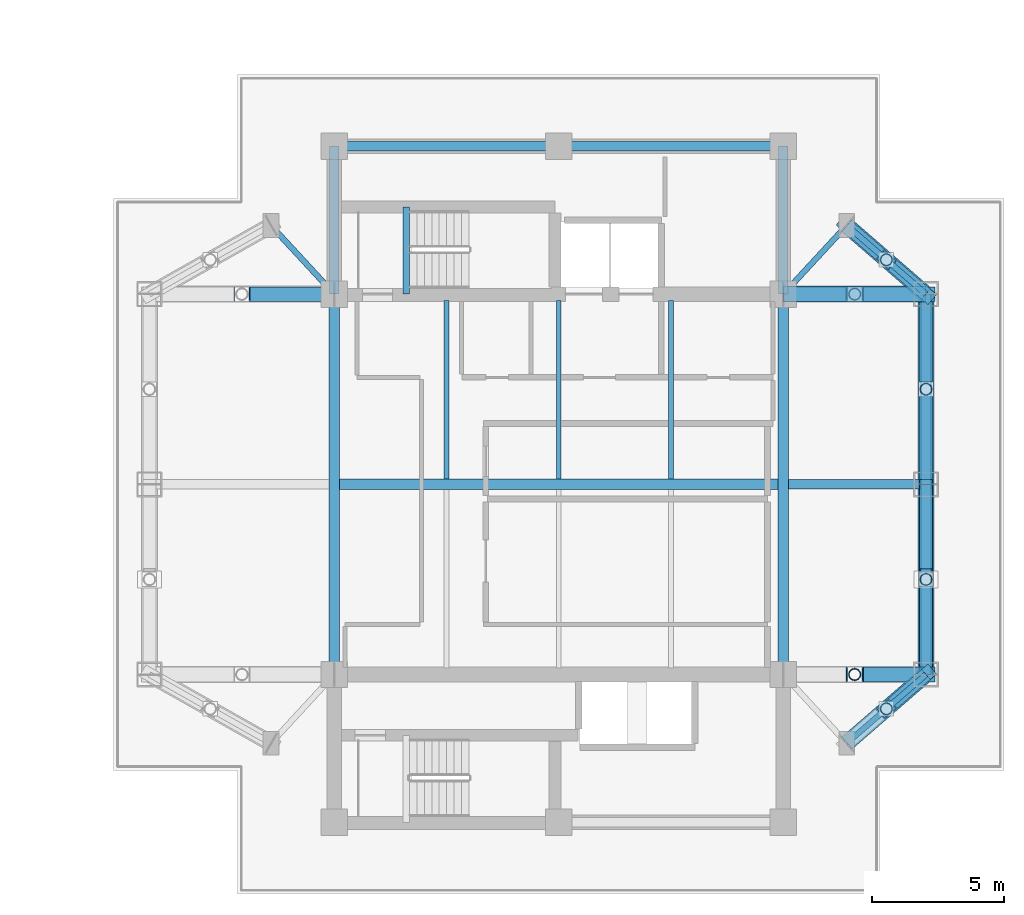
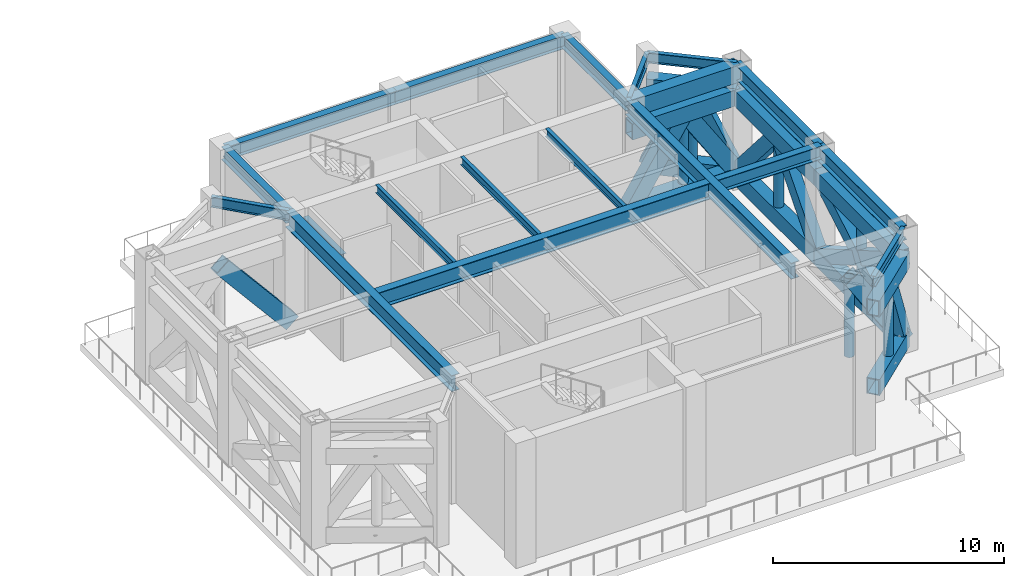
# One storey, part 5 of 18: 28 members, 19 beams.
"""IFC4 building model written with IfcOpenShell, lengths in metres."""

import ifcopenshell
import ifcopenshell.guid

model = None  # the IFC model being written
_history = None  # IfcOwnerHistory: only IFC2X3 demands one
_inside = {}  # id of a spatial element -> (the spatial element, [elements in it])
_under = {}  # id of a project, library or spatial element -> (it, [spatial elements below it])
_declared = {}  # id of a project -> (the project, [libraries it declares])
_typed = {}  # id of a type object -> (the type object, [elements of that type])
_made_of = {}  # id of a material, layer set ... -> (it, [elements and type objects made of it])


def new_model(schema):
    """Start an empty IFC model of exactly this schema.

    Asked for "IFC4X3", IfcOpenShell would pick the latest addendum, in which some entities
    have other attributes; the version numbers below select the first issue.
    IFC2X3 requires an IfcOwnerHistory on every rooted entity: one is made here for all.
    """
    global model, _history
    if schema == "IFC4X3":
        model = ifcopenshell.file(schema_version=(4, 3, 0, 0))
    else:
        model = ifcopenshell.file(schema=schema)
    _inside.clear()
    _under.clear()
    _declared.clear()
    _typed.clear()
    _made_of.clear()
    _history = None
    if model.schema == "IFC2X3":
        org = make("IfcOrganization", Name="unknown")
        user = make(
            "IfcPersonAndOrganization",
            ThePerson=make("IfcPerson", FamilyName="unknown"),
            TheOrganization=org,
        )
        app = make(
            "IfcApplication",
            ApplicationDeveloper=org,
            Version="unknown",
            ApplicationFullName="unknown",
            ApplicationIdentifier="unknown",
        )
        _history = make(
            "IfcOwnerHistory",
            OwningUser=user,
            OwningApplication=app,
            ChangeAction="ADDED",
            CreationDate=0,
        )
    return model


def make(cls, **values):
    """One entity of the class cls with the attributes given. An attribute that is None is left unset."""
    return model.create_entity(
        cls, **{name: value for name, value in values.items() if value is not None}
    )


def rooted(cls, **values):
    """An entity with a GlobalId (a new one), such as an element, a storey or a relation."""
    return make(cls, GlobalId=ifcopenshell.guid.new(), OwnerHistory=_history, **values)


def si_unit(unit_type, name, prefix=None):
    """IfcSIUnit, for example si_unit("LENGTHUNIT", "METRE", prefix="MILLI")."""
    return make("IfcSIUnit", UnitType=unit_type, Prefix=prefix, Name=name)


def assignment(units):
    """IfcUnitAssignment: the units of a project."""
    return None if units is None else make("IfcUnitAssignment", Units=units)


def point(xyz):
    """IfcCartesianPoint."""
    return None if xyz is None else make("IfcCartesianPoint", Coordinates=xyz)


def direction(xyz):
    """IfcDirection."""
    return None if xyz is None else make("IfcDirection", DirectionRatios=xyz)


def frame(location, z_axis=None, x_axis=None):
    """IfcAxis2Placement3D, a coordinate frame: its origin and axes. An axis left out is left unset."""
    return make(
        "IfcAxis2Placement3D",
        Location=point(location),
        Axis=direction(z_axis),
        RefDirection=direction(x_axis),
    )


def frame_2d(location, x_axis=None):
    """IfcAxis2Placement2D, a coordinate frame in the plane: its origin and x axis."""
    return make(
        "IfcAxis2Placement2D", Location=point(location), RefDirection=direction(x_axis)
    )


def origin():
    """The frame at (0, 0, 0) with its axes left unset."""
    return frame((0.0, 0.0, 0.0))


def origin_2d():
    """The frame at (0, 0) in the plane with its x axis left unset."""
    return frame_2d((0.0, 0.0))


def place(relative_to, where):
    """IfcLocalPlacement: puts the frame where relative to a parent placement (None: the world)."""
    return make(
        "IfcLocalPlacement", PlacementRelTo=relative_to, RelativePlacement=where
    )


def context(
    kind, dimensions, precision=None, world=None, true_north=None, identifier=None
):
    """IfcGeometricRepresentationContext, for example the 3D "Model" context."""
    return make(
        "IfcGeometricRepresentationContext",
        ContextIdentifier=identifier,
        ContextType=kind,
        CoordinateSpaceDimension=dimensions,
        Precision=precision,
        WorldCoordinateSystem=world,
        TrueNorth=true_north,
    )


def subcontext(parent, identifier, kind, view, scale=None):
    """IfcGeometricRepresentationSubContext, for example "Body" below "Model"."""
    return make(
        "IfcGeometricRepresentationSubContext",
        ContextIdentifier=identifier,
        ContextType=kind,
        ParentContext=parent,
        TargetScale=scale,
        TargetView=view,
    )


def project(units=None, contexts=None):
    """IfcProject with its units and contexts."""
    return rooted(
        "IfcProject",
        Name="project",
        RepresentationContexts=contexts,
        UnitsInContext=assignment(units),
    )


def spatial(cls, under=None, at=None, **own):
    """A site, building, storey or space (cls), placed at a placement, below another one or the project."""
    s = rooted(cls, ObjectPlacement=at, **own)
    if under is not None:
        _under.setdefault(under.id(), (under, []))[1].append(s)
    return s


def profile(cls, at=None, kind="AREA", **sizes):
    """A parametric profile (cls). Its sizes go by their IFC names, for example OverallWidth=200.0."""
    return make(cls, ProfileType=kind, Position=at, **sizes)


def rectangle(**sizes):
    """IfcRectangleProfileDef."""
    return profile("IfcRectangleProfileDef", **sizes)


def hollow_rectangle(**sizes):
    """IfcRectangleHollowProfileDef."""
    return profile("IfcRectangleHollowProfileDef", **sizes)


def hollow_circle(**sizes):
    """IfcCircleHollowProfileDef."""
    return profile("IfcCircleHollowProfileDef", **sizes)


def i_section(**sizes):
    """IfcIShapeProfileDef."""
    return profile("IfcIShapeProfileDef", **sizes)


def extrude(swept, where, along, depth):
    """IfcExtrudedAreaSolid: the profile swept, set in the frame where, extruded along a direction by depth."""
    return make(
        "IfcExtrudedAreaSolid",
        SweptArea=swept,
        Position=where,
        ExtrudedDirection=direction(along),
        Depth=depth,
    )


def shape(context_of_items, identifier, shape_type, items):
    """IfcShapeRepresentation: the items that make up one representation, for example the "Body"."""
    return make(
        "IfcShapeRepresentation",
        ContextOfItems=context_of_items,
        RepresentationIdentifier=identifier,
        RepresentationType=shape_type,
        Items=items,
    )


def material(Name=None, Category=None):
    """IfcMaterial."""
    return make("IfcMaterial", Name=Name, Category=Category)


def material_profile(
    of_material, cross_section, Name=None, Category=None, Priority=None
):
    """IfcMaterialProfile: a cross section and its material."""
    return make(
        "IfcMaterialProfile",
        Name=Name,
        Material=of_material,
        Profile=cross_section,
        Priority=Priority,
        Category=Category,
    )


def profile_set(profiles, Name=None, composite=None):
    """IfcMaterialProfileSet."""
    return make(
        "IfcMaterialProfileSet",
        Name=Name,
        MaterialProfiles=profiles,
        CompositeProfile=composite,
    )


def made_of(thing, what):
    """Note that an element or type object is made of a material, layer set ...; save() writes the relation."""
    if what is not None:
        _made_of.setdefault(what.id(), (what, []))[1].append(thing)
    return thing


def type_object(cls, material=None, **own):
    """A type object (cls), such as IfcWallType, which elements share."""
    return made_of(rooted(cls, **own), material)


def element(
    cls,
    number,
    at=None,
    inside=None,
    cuts=None,
    type_object=None,
    material=None,
    context=None,
    identifier="Body",
    shape_type=None,
    held_by="IfcProductDefinitionShape",
    body=None,
    shapes=None,
    **own,
):
    """One element of the class cls, such as IfcWall. Its Tag is "e" and its number.

    at: its placement. inside: the storey or other place that contains it. cuts: it is an
    opening in that element (IfcRelVoidsElement). A single representation is given by context,
    identifier, shape_type and body (its items); several are given by shapes. held_by: the class
    of the entity that holds the representations. save() writes the other relations.
    """
    e = rooted(cls, Tag="e%d" % number, ObjectPlacement=at, **own)
    if body is not None:
        shapes = [shape(context, identifier, shape_type, body)]
    if shapes is not None:
        e.Representation = make(held_by, Representations=shapes)
    if inside is not None:
        _inside.setdefault(inside.id(), (inside, []))[1].append(e)
    if cuts is not None:
        rooted(
            "IfcRelVoidsElement", RelatingBuildingElement=cuts, RelatedOpeningElement=e
        )
    if type_object is not None:
        _typed.setdefault(type_object.id(), (type_object, []))[1].append(e)
    return made_of(e, material)


def aggregate(whole, parts):
    """IfcRelAggregates: a whole, such as a stair, and the parts it consists of."""
    return rooted("IfcRelAggregates", RelatingObject=whole, RelatedObjects=parts)


def save(model, path):
    """Write the relations noted so far, then the file.

    IfcRelAggregates (storeys below a building ...), IfcRelContainedInSpatialStructure (elements
    in a storey), IfcRelDefinesByType, IfcRelAssociatesMaterial and IfcRelDeclares: one each for
    every whole, place, type object, material and project.
    """
    for whole, parts in _under.values():
        aggregate(whole, parts)
    for where, things in _inside.values():
        rooted(
            "IfcRelContainedInSpatialStructure",
            RelatedElements=things,
            RelatingStructure=where,
        )
    for kind, things in _typed.values():
        rooted("IfcRelDefinesByType", RelatedObjects=things, RelatingType=kind)
    for what, things in _made_of.values():
        rooted("IfcRelAssociatesMaterial", RelatedObjects=things, RelatingMaterial=what)
    for by, libraries in _declared.values():
        rooted("IfcRelDeclares", RelatingContext=by, RelatedDefinitions=libraries)
    model.write(path)


model = new_model("IFC4")

# Units and contexts
model_context = context("Model", 3, precision=1e-05, world=origin(), true_north=direction((0.0, 1.0)))
body_context = subcontext(model_context, "Body", "Model", "MODEL_VIEW")
ifc_project = project(units=[si_unit("LENGTHUNIT", "METRE"), si_unit("AREAUNIT", "SQUARE_METRE"), si_unit("VOLUMEUNIT", "CUBIC_METRE"), si_unit("PLANEANGLEUNIT", "RADIAN"), si_unit("MASSUNIT", "GRAM", prefix="KILO")], contexts=[model_context])

# Site, building, storey
site_placement = place(None, origin())
site = spatial("IfcSite", under=ifc_project, at=site_placement, CompositionType="ELEMENT")
building_placement = place(site_placement, origin())
building = spatial("IfcBuilding", under=site, at=building_placement, Name="Mirazonda Arch Towers", CompositionType="ELEMENT")
storey_placement = place(building_placement, frame((0.0, 0.0, 147.800048828125)))
storey = spatial("IfcBuildingStorey", under=building, at=storey_placement, Name="L42", CompositionType="ELEMENT", Elevation=147.800048828125)

# Beams
ifc_material_1 = material(Name="Steel ASTM A992 Grade 50", Category="steel")
ifc_material_profile_1 = material_profile(ifc_material_1, i_section(OverallWidth=0.381103515625, OverallDepth=0.77294921875, WebThickness=0.0166015625, FlangeThickness=0.027099609375, at=origin_2d()), Name="W30X173")
ifc_profile_set_1 = profile_set([ifc_material_profile_1], Name="Steel ASTM A992 Grade 50")
beam_type_1 = type_object("IfcBeamType", Name="BM-EXT-W30X173", PredefinedType="USERDEFINED", material=ifc_profile_set_1)
for number, where, z_axis, x_axis, name in (
    (1, (90.39990234375, 20.800048828125, 6.013427734375), (0.0, 1.0, 0.0), (-1.0, 0.0, 0.0), "L42 Floor Beam BM-T2-L42-NS-E-20"),
    (2, (90.39990234375, 28.0, 6.013427734375), (0.0, 1.0, 0.0), (-1.0, 0.0, 0.0), "L42 Floor Beam BM-T2-L42-NS-E-28"),
):
    element("IfcBeam", number, at=place(storey_placement, frame(where, z_axis=z_axis, x_axis=x_axis)), inside=storey, type_object=beam_type_1, Name=name, ObjectType="GIRDER", PredefinedType="USERDEFINED", context=body_context, shape_type="SweptSolid", body=[
        extrude(i_section(OverallWidth=0.381103515625, OverallDepth=0.77294921875, WebThickness=0.0166015625, FlangeThickness=0.027099609375, at=origin_2d()), origin(), (0.0, 0.0, 1.0), 7.199951171875),
    ])
ifc_material_profile_2 = material_profile(ifc_material_1, i_section(OverallWidth=0.257080078125, OverallDepth=0.330078125, WebThickness=0.011962890625, FlangeThickness=0.01953125, at=origin_2d()), Name="W10X68")
ifc_profile_set_2 = profile_set([ifc_material_profile_2], Name="Steel ASTM A992 Grade 50")
beam_type_2 = type_object("IfcBeamType", Name="BM-INT-W10X68", PredefinedType="BEAM", material=ifc_profile_set_2)
beam_1_placement = place(storey_placement, frame((70.719970703125, 35.199951171875, 2.93505859375), z_axis=(0.0, 1.0, 0.0), x_axis=(-1.0, 0.0, 0.0)))
element("IfcBeam", 3, at=beam_1_placement, inside=storey, type_object=beam_type_2, Name="L42 ST-T2N Landing Trimmer Beam", PredefinedType="BEAM", context=body_context, shape_type="SweptSolid", body=[
    extrude(i_section(OverallWidth=0.257080078125, OverallDepth=0.330078125, WebThickness=0.011962890625, FlangeThickness=0.01953125, at=origin_2d()), origin(), (0.0, 0.0, 1.0), 3.300048828125),
])
ifc_material_profile_3 = material_profile(ifc_material_1, i_section(OverallWidth=0.180908203125, OverallDepth=0.4169921875, WebThickness=0.010986328125, FlangeThickness=0.018310546875, at=origin_2d()), Name="W16X57")
ifc_profile_set_3 = profile_set([ifc_material_profile_3], Name="Steel ASTM A992 Grade 50")
beam_type_3 = type_object("IfcBeamType", Name="BM-INT-W16X57", PredefinedType="JOIST", material=ifc_profile_set_3)
for number, where, z_axis, x_axis, name in (
    (4, (72.25, 28.196044921875, 6.19140625), (0.0, 1.0, 0.0), (-1.0, 0.0, 0.0), "L42 Floor Beam BM-T2-L42-J-722-28"),
    (5, (76.5, 28.196044921875, 6.19140625), (0.0, 1.0, 0.0), (-1.0, 0.0, 0.0), "L42 Floor Beam BM-T2-L42-J-765-28"),
    (6, (80.75, 28.196044921875, 6.19140625), (0.0, 1.0, 0.0), (-1.0, 0.0, 0.0), "L42 Floor Beam BM-T2-L42-J-807-28"),
):
    element("IfcBeam", number, at=place(storey_placement, frame(where, z_axis=z_axis, x_axis=x_axis)), inside=storey, type_object=beam_type_3, Name=name, PredefinedType="JOIST", context=body_context, shape_type="SweptSolid", body=[
        extrude(i_section(OverallWidth=0.180908203125, OverallDepth=0.4169921875, WebThickness=0.010986328125, FlangeThickness=0.018310546875, at=origin_2d()), origin(), (0.0, 0.0, 1.0), 6.763916015625),
    ])
ifc_material_profile_4 = material_profile(ifc_material_1, i_section(OverallWidth=0.214111328125, OverallDepth=0.549072265625, WebThickness=0.0146484375, FlangeThickness=0.023681640625, at=origin_2d()), Name="W21X93")
ifc_profile_set_4 = profile_set([ifc_material_profile_4], Name="Steel ASTM A992 Grade 50")
beam_type_4 = type_object("IfcBeamType", Name="BM-INT-W21X93", PredefinedType="BEAM", material=ifc_profile_set_4)
beam_2_placement = place(storey_placement, frame((87.39990234375, 18.199951171875, 6.12548828125), z_axis=(0.755676908098, 0.654944585876, 0.0), x_axis=(-0.654944585876, 0.755676908098, 0.0)))
element("IfcBeam", 7, at=beam_2_placement, inside=storey, type_object=beam_type_4, Name="L42 Floor Beam BM-T2-L42-PL-SE2", PredefinedType="BEAM", context=body_context, shape_type="SweptSolid", body=[
    extrude(i_section(OverallWidth=0.214111328125, OverallDepth=0.549072265625, WebThickness=0.0146484375, FlangeThickness=0.023681640625, at=origin_2d()), origin(), (0.0, 0.0, 1.0), 3.969970703125),
])
for number, where, z_axis, x_axis, name in (
    (8, (65.60009765625, 37.800048828125, 6.12548828125), (0.678251444854, -0.734829897019, 0.0), (0.734829897019, 0.678251444854, 0.0), "L42 Floor Beam BM-T2-L42-PL-NW1"),
    (9, (87.39990234375, 37.800048828125, 6.12548828125), (-0.678251444854, -0.734829897019, 0.0), (0.734829897019, -0.678251444854, 0.0), "L42 Floor Beam BM-T2-L42-PL-NE1"),
):
    element("IfcBeam", number, at=place(storey_placement, frame(where, z_axis=z_axis, x_axis=x_axis)), inside=storey, type_object=beam_type_4, Name=name, PredefinedType="BEAM", context=body_context, shape_type="SweptSolid", body=[
        extrude(i_section(OverallWidth=0.214111328125, OverallDepth=0.549072265625, WebThickness=0.0146484375, FlangeThickness=0.023681640625, at=origin_2d()), origin(), (0.0, 0.0, 1.0), 3.538330078125),
    ])
beam_3_placement = place(storey_placement, frame((87.39990234375, 37.800048828125, 6.12548828125), z_axis=(0.755676908098, -0.654944585876, 0.0), x_axis=(0.654944585876, 0.755676908098, 0.0)))
element("IfcBeam", 10, at=beam_3_placement, inside=storey, type_object=beam_type_4, Name="L42 Floor Beam BM-T2-L42-PL-NE2", PredefinedType="BEAM", context=body_context, shape_type="SweptSolid", body=[
    extrude(i_section(OverallWidth=0.214111328125, OverallDepth=0.549072265625, WebThickness=0.0146484375, FlangeThickness=0.023681640625, at=origin_2d()), origin(), (0.0, 0.0, 1.0), 3.969970703125),
])
ifc_material_profile_5 = material_profile(ifc_material_1, i_section(OverallWidth=0.35498046875, OverallDepth=0.696044921875, WebThickness=0.015380859375, FlangeThickness=0.02490234375, at=origin_2d()), Name="W27X146")
ifc_profile_set_5 = profile_set([ifc_material_profile_5], Name="Steel ASTM A992 Grade 50")
beam_type_5 = type_object("IfcBeamType", Name="BM-INT-W27X146", PredefinedType="BEAM", material=ifc_profile_set_5)
for number, where, z_axis, x_axis, name in (
    (11, (68.0, 40.800048828125, 6.052001953125), (1.0, 0.0, 0.0), (0.0, 1.0, 0.0), "L42 Floor Beam BM-T2-L42-CN1"),
    (12, (76.5, 40.800048828125, 6.052001953125), (1.0, 0.0, 0.0), (0.0, 1.0, 0.0), "L42 Floor Beam BM-T2-L42-CN2"),
):
    element("IfcBeam", number, at=place(storey_placement, frame(where, z_axis=z_axis, x_axis=x_axis)), inside=storey, type_object=beam_type_5, Name=name, PredefinedType="BEAM", context=body_context, shape_type="SweptSolid", body=[
        extrude(i_section(OverallWidth=0.35498046875, OverallDepth=0.696044921875, WebThickness=0.015380859375, FlangeThickness=0.02490234375, at=origin_2d()), origin(), (0.0, 0.0, 1.0), 8.5),
    ])
for number, where, z_axis, x_axis, name in (
    (13, (68.0, 35.199951171875, 6.052001953125), (0.0, 1.0, 0.0), (-1.0, 0.0, 0.0), "L42 Floor Beam BM-T2-L42-CNW"),
    (14, (85.0, 35.199951171875, 6.052001953125), (0.0, 1.0, 0.0), (-1.0, 0.0, 0.0), "L42 Floor Beam BM-T2-L42-CNE"),
):
    element("IfcBeam", number, at=place(storey_placement, frame(where, z_axis=z_axis, x_axis=x_axis)), inside=storey, type_object=beam_type_5, Name=name, PredefinedType="BEAM", context=body_context, shape_type="SweptSolid", body=[
        extrude(i_section(OverallWidth=0.35498046875, OverallDepth=0.696044921875, WebThickness=0.015380859375, FlangeThickness=0.02490234375, at=origin_2d()), origin(), (0.0, 0.0, 1.0), 5.60009765625),
    ])
beam_4_placement = place(storey_placement, frame((85.199951171875, 28.0, 6.052001953125), z_axis=(1.0, 0.0, 0.0), x_axis=(0.0, 1.0, 0.0)))
element("IfcBeam", 15, at=beam_4_placement, inside=storey, type_object=beam_type_5, Name="L42 Floor Beam BM-T2-L42-GE2", PredefinedType="BEAM", context=body_context, shape_type="SweptSolid", body=[
    extrude(i_section(OverallWidth=0.35498046875, OverallDepth=0.696044921875, WebThickness=0.015380859375, FlangeThickness=0.02490234375, at=origin_2d()), origin(), (0.0, 0.0, 1.0), 5.199951171875),
])
ifc_material_profile_6 = material_profile(ifc_material_1, i_section(OverallWidth=0.39990234375, OverallDepth=0.85595703125, WebThickness=0.018310546875, FlangeThickness=0.029296875, at=origin_2d()), Name="W33X201")
ifc_profile_set_6 = profile_set([ifc_material_profile_6], Name="Steel ASTM A992 Grade 50")
beam_type_6 = type_object("IfcBeamType", Name="BM-INT-W33X201", PredefinedType="USERDEFINED", material=ifc_profile_set_6)
beam_5_placement = place(storey_placement, frame((68.199951171875, 28.0, 5.971923828125), z_axis=(1.0, 0.0, 0.0), x_axis=(0.0, 1.0, 0.0)))
element("IfcBeam", 16, at=beam_5_placement, inside=storey, type_object=beam_type_6, Name="L42 Floor Beam BM-T2-L42-GC2", ObjectType="GIRDER", PredefinedType="USERDEFINED", context=body_context, shape_type="SweptSolid", body=[
    extrude(i_section(OverallWidth=0.39990234375, OverallDepth=0.85595703125, WebThickness=0.018310546875, FlangeThickness=0.029296875, at=origin_2d()), origin(), (0.0, 0.0, 1.0), 16.60009765625),
])
for number, where, z_axis, x_axis, name in (
    (17, (68.0, 20.800048828125, 5.971923828125), (0.0, 1.0, 0.0), (-1.0, 0.0, 0.0), "L42 Floor Beam BM-T2-L42-NS-CW-FULL"),
    (18, (85.0, 20.800048828125, 5.971923828125), (0.0, 1.0, 0.0), (-1.0, 0.0, 0.0), "L42 Floor Beam BM-T2-L42-NS-CE-FULL"),
):
    element("IfcBeam", number, at=place(storey_placement, frame(where, z_axis=z_axis, x_axis=x_axis)), inside=storey, type_object=beam_type_6, Name=name, ObjectType="GIRDER", PredefinedType="USERDEFINED", context=body_context, shape_type="SweptSolid", body=[
        extrude(i_section(OverallWidth=0.39990234375, OverallDepth=0.85595703125, WebThickness=0.018310546875, FlangeThickness=0.029296875, at=origin_2d()), origin(), (0.0, 0.0, 1.0), 14.39990234375),
    ])
ifc_material_2 = material(Name="Concrete C50/60", Category="concrete")
ifc_material_profile_7 = material_profile(ifc_material_2, rectangle(XDim=0.60009765625, YDim=0.89990234375, at=origin_2d()), Name="RCCB600x900")
ifc_profile_set_7 = profile_set([ifc_material_profile_7], Name="Concrete C50/60")
beam_type_7 = type_object("IfcBeamType", Name="CB-INT-RCCB600x900", PredefinedType="SPANDREL", material=ifc_profile_set_7)
beam_6_placement = place(storey_placement, frame((85.0, 35.199951171875, 5.949951171875), z_axis=(1.0, 0.0, 0.0), x_axis=(0.0, 1.0, 0.0)))
element("IfcBeam", 19, at=beam_6_placement, inside=storey, type_object=beam_type_7, Name="L42 Floor Beam CB-T2-L42-NE", PredefinedType="SPANDREL", context=body_context, shape_type="SweptSolid", body=[
    extrude(rectangle(XDim=0.60009765625, YDim=0.89990234375, at=origin_2d()), origin(), (0.0, 0.0, 1.0), 5.39990234375),
])

# Members
ifc_material_3 = material(Name="Steel ASTM A572 Grade 50", Category="steel")
ifc_material_profile_8 = material_profile(ifc_material_3, hollow_rectangle(XDim=0.60009765625, YDim=0.85009765625, WallThickness=0.048095703125, at=origin_2d()), Name="BELTCHORD850x600x48")
ifc_profile_set_8 = profile_set([ifc_material_profile_8], Name="Steel ASTM A572 Grade 50")
member_type_1 = type_object("IfcMemberType", Name="MBR-EXT-BELTCHORD850x600x48", PredefinedType="CHORD", material=ifc_profile_set_8)
for number, where, z_axis, x_axis, name in (
    (20, (90.39990234375, 20.800048828125, 0.550048828125), (0.0, 1.0, 0.0), (-1.0, 0.0, 0.0), "L42 T2 Wind-Portal Belt Chord BC03"),
    (21, (90.39990234375, 20.800048828125, 4.719970703125), (0.0, 1.0, 0.0), (-1.0, 0.0, 0.0), "L42 T2 Wind-Portal Belt Chord TC03"),
    (22, (90.39990234375, 28.0, 0.550048828125), (0.0, 1.0, 0.0), (-1.0, 0.0, 0.0), "L42 T2 Wind-Portal Belt Chord BC04"),
    (23, (90.39990234375, 28.0, 4.719970703125), (0.0, 1.0, 0.0), (-1.0, 0.0, 0.0), "L42 T2 Wind-Portal Belt Chord TC04"),
):
    element("IfcMember", number, at=place(storey_placement, frame(where, z_axis=z_axis, x_axis=x_axis)), inside=storey, type_object=member_type_1, Name=name, PredefinedType="CHORD", context=body_context, shape_type="SweptSolid", body=[
        extrude(hollow_rectangle(XDim=0.60009765625, YDim=0.85009765625, WallThickness=0.048095703125, at=origin_2d()), origin(), (0.0, 0.0, 1.0), 7.199951171875),
    ])
for number, where, z_axis, x_axis, name in (
    (24, (87.39990234375, 18.199951171875, 0.550048828125), (0.755676908098, 0.654944585876, 0.0), (-0.654944585876, 0.755676908098, 0.0), "L42 T2 Wind-Portal Belt Chord BC06"),
    (25, (87.39990234375, 18.199951171875, 4.719970703125), (0.755676908098, 0.654944585876, 0.0), (-0.654944585876, 0.755676908098, 0.0), "L42 T2 Wind-Portal Belt Chord TC06"),
    (26, (87.39990234375, 37.800048828125, 0.550048828125), (0.755676908098, -0.654944585876, 0.0), (0.654944585876, 0.755676908098, 0.0), "L42 T2 Wind-Portal Belt Chord BC08"),
    (27, (87.39990234375, 37.800048828125, 4.719970703125), (0.755676908098, -0.654944585876, 0.0), (0.654944585876, 0.755676908098, 0.0), "L42 T2 Wind-Portal Belt Chord TC08"),
):
    element("IfcMember", number, at=place(storey_placement, frame(where, z_axis=z_axis, x_axis=x_axis)), inside=storey, type_object=member_type_1, Name=name, PredefinedType="CHORD", context=body_context, shape_type="SweptSolid", body=[
        extrude(hollow_rectangle(XDim=0.60009765625, YDim=0.85009765625, WallThickness=0.048095703125, at=origin_2d()), origin(), (0.0, 0.0, 1.0), 3.969970703125),
    ])
ifc_material_profile_9 = material_profile(ifc_material_3, hollow_rectangle(XDim=0.5, YDim=0.699951171875, WallThickness=0.0400390625, at=origin_2d()), Name="BELTDIAG700x500x40")
ifc_profile_set_9 = profile_set([ifc_material_profile_9], Name="Steel ASTM A572 Grade 50")
member_type_2 = type_object("IfcMemberType", Name="MBR-EXT-BELTDIAG700x500x40", PredefinedType="BRACE", material=ifc_profile_set_9)
member_1_placement = place(storey_placement, frame((90.39990234375, 20.800048828125, 0.550048828125), z_axis=(0.0, 0.865346586486, 0.501173907198), x_axis=(-1.0, 0.0, 0.0)))
element("IfcMember", 28, at=member_1_placement, inside=storey, type_object=member_type_2, Name="L42 T2 Continuous X-Brace Diagonal 03", PredefinedType="BRACE", context=body_context, shape_type="SweptSolid", body=[
    extrude(hollow_rectangle(XDim=0.5, YDim=0.699951171875, WallThickness=0.0400390625, at=origin_2d()), origin(), (0.0, 0.0, 1.0), 8.3203125),
])
for number, where, z_axis, x_axis, name in (
    (29, (90.39990234375, 28.0, 0.550048828125), (0.0, -0.865351606214, 0.501165239838), (1.0, 0.0, 0.0), "L42 T2 Split X-Brace Lower Segment 03"),
    (30, (90.39990234375, 24.15771484375, 2.775146484375), (0.0, -0.865324317981, 0.501212354907), (1.0, 0.0, 0.0), "L42 T2 Split X-Brace Upper Segment 03"),
):
    element("IfcMember", number, at=place(storey_placement, frame(where, z_axis=z_axis, x_axis=x_axis)), inside=storey, type_object=member_type_2, Name=name, PredefinedType="BRACE", context=body_context, shape_type="SweptSolid", body=[
        extrude(hollow_rectangle(XDim=0.5, YDim=0.699951171875, WallThickness=0.0400390625, at=origin_2d()), origin(), (0.0, 0.0, 1.0), 3.880126953125),
    ])
member_2_placement = place(storey_placement, frame((90.39990234375, 28.0, 0.550048828125), z_axis=(0.0, 0.653495250041, 0.756930616486), x_axis=(-1.0, 0.0, 0.0)))
element("IfcMember", 31, at=member_2_placement, inside=storey, type_object=member_type_2, Name="L42 T2 Wind-Portal Belt Diagonal 04A", PredefinedType="BRACE", context=body_context, shape_type="SweptSolid", body=[
    extrude(hollow_rectangle(XDim=0.5, YDim=0.699951171875, WallThickness=0.0400390625, at=origin_2d()), origin(), (0.0, 0.0, 1.0), 5.509033203125),
])
member_3_placement = place(storey_placement, frame((90.39990234375, 35.199951171875, 0.550048828125), z_axis=(0.0, -0.653469857906, 0.756952538015), x_axis=(1.0, 0.0, 0.0)))
element("IfcMember", 32, at=member_3_placement, inside=storey, type_object=member_type_2, Name="L42 T2 Wind-Portal Belt Diagonal 04B", PredefinedType="BRACE", context=body_context, shape_type="SweptSolid", body=[
    extrude(hollow_rectangle(XDim=0.5, YDim=0.699951171875, WallThickness=0.0400390625, at=origin_2d()), origin(), (0.0, 0.0, 1.0), 5.5087890625),
])
for number, where, z_axis, x_axis, name in (
    (33, (90.39990234375, 20.800048828125, 0.550048828125), (-0.324797270569, -0.281501540655, 0.902919495658), (0.654944585876, -0.755676908098, 0.0), "L42 T2 Wind-Portal Belt Diagonal 06B"),
    (34, (87.39990234375, 37.800048828125, 0.550048828125), (0.324797270569, -0.281501540655, 0.902919495658), (0.654944585876, 0.755676908098, 0.0), "L42 T2 Wind-Portal Belt Diagonal 08A"),
    (35, (90.39990234375, 35.199951171875, 0.550048828125), (-0.324797270569, 0.281501540655, 0.902919495658), (-0.654944585876, -0.755676908098, 0.0), "L42 T2 Wind-Portal Belt Diagonal 08B"),
):
    element("IfcMember", number, at=place(storey_placement, frame(where, z_axis=z_axis, x_axis=x_axis)), inside=storey, type_object=member_type_2, Name=name, PredefinedType="BRACE", context=body_context, shape_type="SweptSolid", body=[
        extrude(hollow_rectangle(XDim=0.5, YDim=0.699951171875, WallThickness=0.0400390625, at=origin_2d()), origin(), (0.0, 0.0, 1.0), 4.6181640625),
    ])
ifc_material_profile_10 = material_profile(ifc_material_3, hollow_circle(Radius=0.228515625, WallThickness=0.02197265625, at=origin_2d()), Name="BELTSTRUT457x22CHS")
ifc_profile_set_10 = profile_set([ifc_material_profile_10], Name="Steel ASTM A572 Grade 50")
member_type_3 = type_object("IfcMemberType", Name="MBR-EXT-BELTSTRUT457x22CHS", PredefinedType="STRUT", material=ifc_profile_set_10)
for number, where, z_axis, x_axis, name in (
    (36, (90.39990234375, 24.39990234375, 0.550048828125), (0.0, 0.0, 1.0), (1.0, 0.0, 0.0), "L42 T2 Wind-Portal Belt Strut 03"),
    (37, (90.39990234375, 31.60009765625, 0.550048828125), (0.0, 0.0, 1.0), (1.0, 0.0, 0.0), "L42 T2 Wind-Portal Belt Strut 04"),
    (38, (88.89990234375, 19.5, 0.550048828125), (0.0, 0.0, 1.0), (1.0, 0.0, 0.0), "L42 T2 Wind-Portal Belt Strut 06"),
    (39, (88.89990234375, 36.5, 0.550048828125), (0.0, 0.0, 1.0), (1.0, 0.0, 0.0), "L42 T2 Wind-Portal Belt Strut 08"),
):
    element("IfcMember", number, at=place(storey_placement, frame(where, z_axis=z_axis, x_axis=x_axis)), inside=storey, type_object=member_type_3, Name=name, PredefinedType="STRUT", context=body_context, shape_type="SweptSolid", body=[
        extrude(hollow_circle(Radius=0.228515625, WallThickness=0.02197265625, at=origin_2d()), origin(), (0.0, 0.0, 1.0), 4.169921875),
    ])
ifc_material_profile_11 = material_profile(ifc_material_3, hollow_rectangle(XDim=0.60009765625, YDim=0.85009765625, WallThickness=0.048095703125, at=origin_2d()), Name="BELTCHORD850x600x48")
ifc_profile_set_11 = profile_set([ifc_material_profile_11], Name="Steel ASTM A572 Grade 50")
member_type_4 = type_object("IfcMemberType", Name="MBR-INT-BELTCHORD850x600x48", PredefinedType="CHORD", material=ifc_profile_set_11)
for number, where, z_axis, x_axis, name in (
    (40, (85.0, 35.199951171875, 0.550048828125), (1.0, 0.0, 0.0), (0.0, 1.0, 0.0), "L42 T2 Core Outrigger Chord BC04"),
    (41, (85.0, 35.199951171875, 4.719970703125), (1.0, 0.0, 0.0), (0.0, 1.0, 0.0), "L42 T2 Core Outrigger Chord TC04"),
):
    element("IfcMember", number, at=place(storey_placement, frame(where, z_axis=z_axis, x_axis=x_axis)), inside=storey, type_object=member_type_4, Name=name, PredefinedType="CHORD", context=body_context, shape_type="SweptSolid", body=[
        extrude(hollow_rectangle(XDim=0.60009765625, YDim=0.85009765625, WallThickness=0.048095703125, at=origin_2d()), origin(), (0.0, 0.0, 1.0), 5.39990234375),
    ])
ifc_material_profile_12 = material_profile(ifc_material_3, hollow_circle(Radius=0.228515625, WallThickness=0.02197265625, at=origin_2d()), Name="BELTSTRUT457x22CHS")
ifc_profile_set_12 = profile_set([ifc_material_profile_12], Name="Steel ASTM A572 Grade 50")
member_type_5 = type_object("IfcMemberType", Name="MBR-INT-BELTSTRUT457x22CHS", PredefinedType="STRUT", material=ifc_profile_set_12)
for number, where, z_axis, x_axis, name in (
    (42, (87.699951171875, 20.800048828125, 0.550048828125), (0.0, 0.0, 1.0), (1.0, 0.0, 0.0), "L42 T2 Core Outrigger Strut 02"),
    (43, (87.699951171875, 35.199951171875, 0.550048828125), (0.0, 0.0, 1.0), (1.0, 0.0, 0.0), "L42 T2 Core Outrigger Strut 04"),
):
    element("IfcMember", number, at=place(storey_placement, frame(where, z_axis=z_axis, x_axis=x_axis)), inside=storey, type_object=member_type_5, Name=name, PredefinedType="STRUT", context=body_context, shape_type="SweptSolid", body=[
        extrude(hollow_circle(Radius=0.228515625, WallThickness=0.02197265625, at=origin_2d()), origin(), (0.0, 0.0, 1.0), 4.169921875),
    ])
ifc_material_profile_13 = material_profile(ifc_material_3, hollow_rectangle(XDim=0.550048828125, YDim=0.800048828125, WallThickness=0.044921875, at=origin_2d()), Name="OUTRIGGER800x550x45")
ifc_profile_set_13 = profile_set([ifc_material_profile_13], Name="Steel ASTM A572 Grade 50")
member_type_6 = type_object("IfcMemberType", Name="MBR-INT-OUTRIGGER800x550x45", PredefinedType="BRACE", material=ifc_profile_set_13)
member_4_placement = place(storey_placement, frame((90.39990234375, 20.800048828125, 0.550048828125), z_axis=(-0.543501896835, 0.0, 0.839407939048), x_axis=(0.0, -1.0, 0.0)))
element("IfcMember", 44, at=member_4_placement, inside=storey, type_object=member_type_6, Name="L42 T2 Core Outrigger Diagonal 02B", PredefinedType="BRACE", context=body_context, shape_type="SweptSolid", body=[
    extrude(hollow_rectangle(XDim=0.550048828125, YDim=0.800048828125, WallThickness=0.044921875, at=origin_2d()), origin(), (0.0, 0.0, 1.0), 4.9677734375),
])
member_5_placement = place(storey_placement, frame((68.0, 35.199951171875, 0.550048828125), z_axis=(-0.64289755966, 0.0, 0.765952170689), x_axis=(0.0, -1.0, 0.0)))
element("IfcMember", 45, at=member_5_placement, inside=storey, type_object=member_type_6, Name="L42 T2 Core Outrigger Diagonal 03B", PredefinedType="BRACE", context=body_context, shape_type="SweptSolid", body=[
    extrude(hollow_rectangle(XDim=0.550048828125, YDim=0.800048828125, WallThickness=0.044921875, at=origin_2d()), origin(), (0.0, 0.0, 1.0), 5.444091796875),
])
for number, where, z_axis, x_axis, name in (
    (46, (85.0, 35.199951171875, 0.550048828125), (0.543501896835, 0.0, 0.839407939048), (0.0, 1.0, 0.0), "L42 T2 Core Outrigger Diagonal 04A"),
    (47, (90.39990234375, 35.199951171875, 0.550048828125), (-0.543501896835, 0.0, 0.839407939048), (0.0, -1.0, 0.0), "L42 T2 Core Outrigger Diagonal 04B"),
):
    element("IfcMember", number, at=place(storey_placement, frame(where, z_axis=z_axis, x_axis=x_axis)), inside=storey, type_object=member_type_6, Name=name, PredefinedType="BRACE", context=body_context, shape_type="SweptSolid", body=[
        extrude(hollow_rectangle(XDim=0.550048828125, YDim=0.800048828125, WallThickness=0.044921875, at=origin_2d()), origin(), (0.0, 0.0, 1.0), 4.9677734375),
    ])

save(model, "model.ifc")
